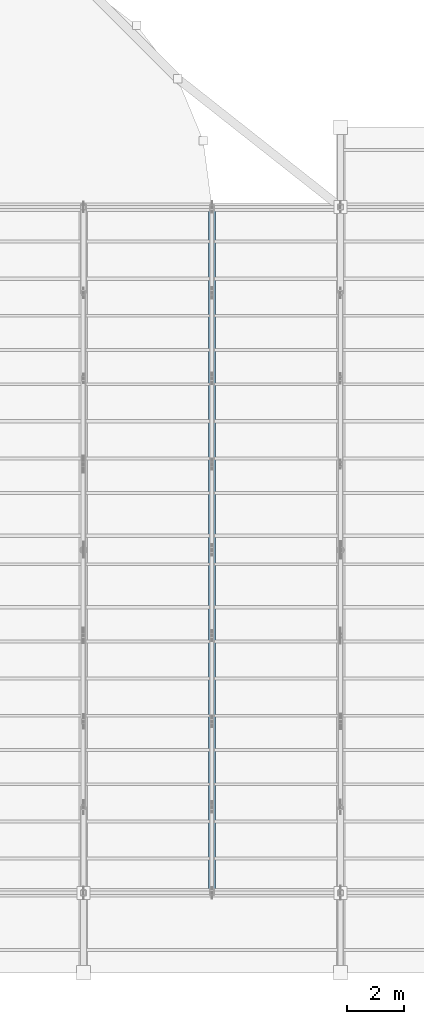
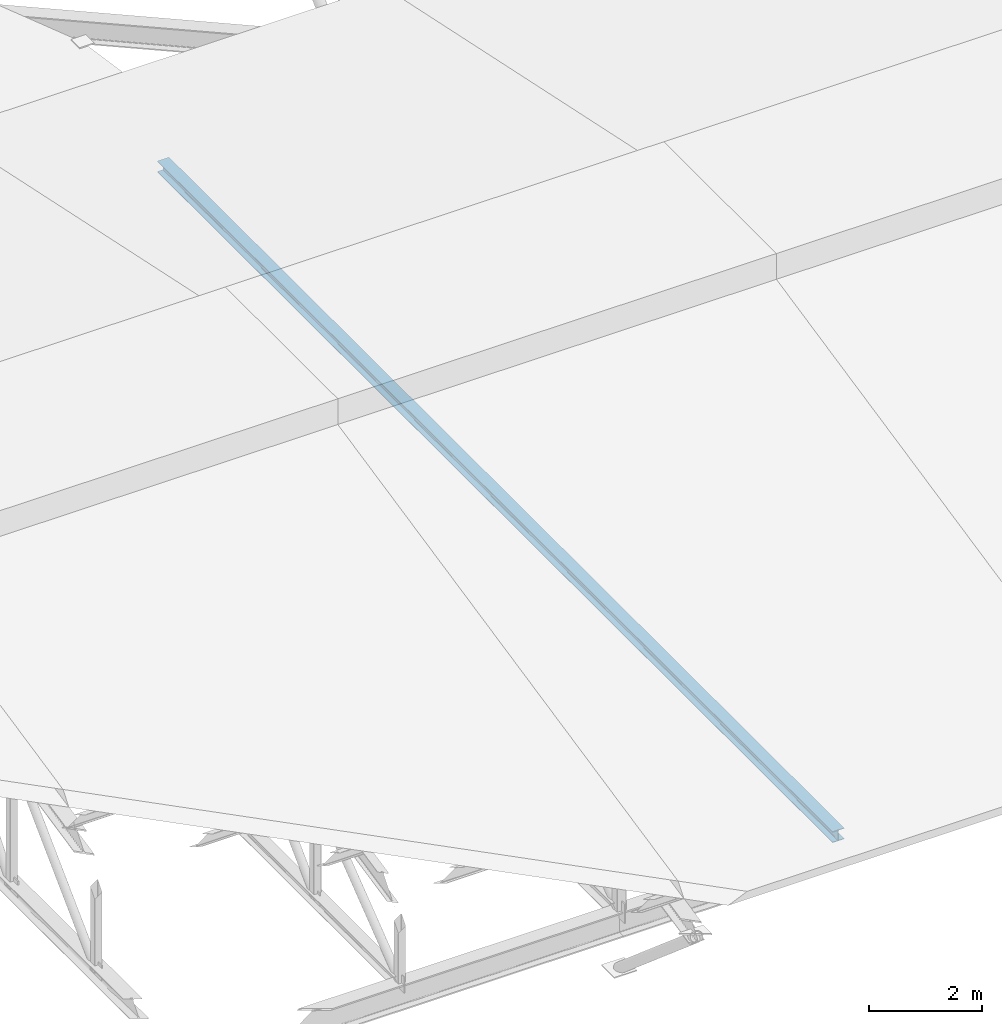
# One storey, part 22 of 43: 1 member.
"""IFC4 building model written with IfcOpenShell, lengths in metres."""

from ifc_helpers import new_model, si_unit, direction, frame, origin, origin_2d, place, context, subcontext, project, spatial, i_section, extrude, material, material_profile, profile_set, type_object, element, save


model = new_model("IFC4")

# Units and contexts
model_context = context("Model", 3, precision=1e-05, world=origin(), true_north=direction((0.0, 1.0)))
body_context = subcontext(model_context, "Body", "Model", "MODEL_VIEW")
ifc_project = project(units=[si_unit("LENGTHUNIT", "METRE"), si_unit("AREAUNIT", "SQUARE_METRE"), si_unit("VOLUMEUNIT", "CUBIC_METRE"), si_unit("PLANEANGLEUNIT", "RADIAN"), si_unit("MASSUNIT", "GRAM", prefix="KILO")], contexts=[model_context])

# Site, building, storey
site_placement = place(None, origin())
site = spatial("IfcSite", under=ifc_project, at=site_placement, CompositionType="ELEMENT")
building_placement = place(site_placement, origin())
building = spatial("IfcBuilding", under=site, at=building_placement, Name="Serraforn Aerial Cableway Station", CompositionType="ELEMENT")
storey_placement = place(building_placement, frame((0.0, 0.0, 18.300048828125)))
storey = spatial("IfcBuildingStorey", under=building, at=storey_placement, Name="RF", CompositionType="ELEMENT", Elevation=18.300048828125)

# Member
ifc_material = material(Name="Steel S355J2", Category="steel")
ifc_material_profile = material_profile(ifc_material, i_section(OverallWidth=0.239990234375, OverallDepth=0.239990234375, WebThickness=0.007568359375, FlangeThickness=0.011962890625, FilletRadius=0.02099609375, at=origin_2d()), Name="HEA 240")
ifc_profile_set = profile_set([ifc_material_profile], Name="Steel S355J2")
member_type = type_object("IfcMemberType", Name="MEM-BC-HEA240", PredefinedType="CHORD", material=ifc_profile_set)
member_placement = place(storey_placement, frame((68.10009765625, 18.0, -1.35009765625), z_axis=(0.0, 1.0, 0.0), x_axis=(-1.0, 0.0, 0.0)))
element("IfcMember", 1, at=member_placement, inside=storey, type_object=member_type, Name="Intermediate Truss TRM-05 Bottom Chord", PredefinedType="CHORD", context=body_context, shape_type="SweptSolid", body=[
    extrude(i_section(OverallWidth=0.239990234375, OverallDepth=0.239990234375, WebThickness=0.007568359375, FlangeThickness=0.011962890625, FilletRadius=0.02099609375, at=origin_2d()), origin(), (0.0, 0.0, 1.0), 24.0),
])

save(model, "model.ifc")
